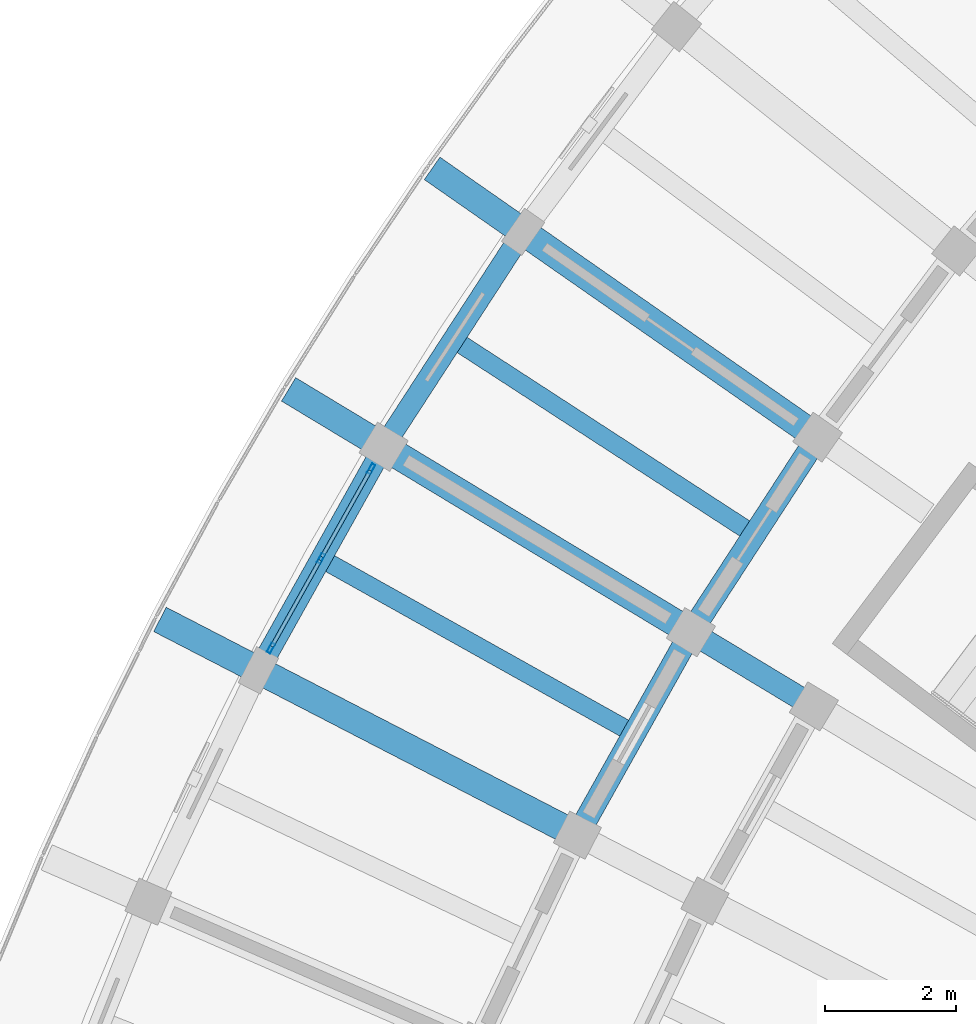
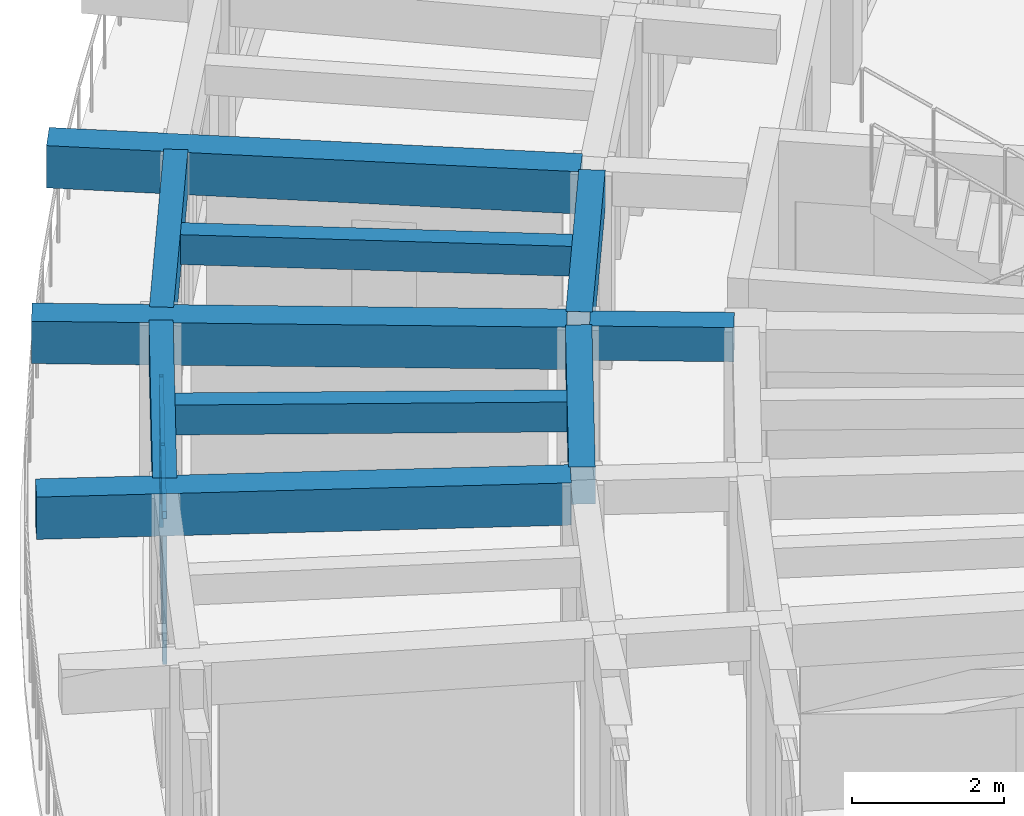
# One storey, part 10 of 78: 10 beams, 9 members, 1 element without a shape of its own.
"""IFC4 building model written with IfcOpenShell, lengths in metres."""

from ifc_helpers import new_model, si_unit, direction, frame, origin, origin_2d, place, context, subcontext, project, spatial, rectangle, hollow_rectangle, extrude, material, material_profile, profile_set, type_object, element, aggregate, save


model = new_model("IFC4")

# Units and contexts
model_context = context("Model", 3, precision=1e-05, world=origin(), true_north=direction((0.0, 1.0)))
body_context = subcontext(model_context, "Body", "Model", "MODEL_VIEW")
ifc_project = project(units=[si_unit("LENGTHUNIT", "METRE"), si_unit("AREAUNIT", "SQUARE_METRE"), si_unit("VOLUMEUNIT", "CUBIC_METRE"), si_unit("PLANEANGLEUNIT", "RADIAN"), si_unit("MASSUNIT", "GRAM", prefix="KILO")], contexts=[model_context])

# Site, building, storey
site_placement = place(None, origin())
site = spatial("IfcSite", under=ifc_project, at=site_placement, CompositionType="ELEMENT")
building_placement = place(site_placement, origin())
building = spatial("IfcBuilding", under=site, at=building_placement, Name="Tanwirah Colonnade Gardens", CompositionType="ELEMENT")
storey_placement = place(building_placement, frame((0.0, 0.0, 22.280029296875)))
storey = spatial("IfcBuildingStorey", under=building, at=storey_placement, Name="L06", CompositionType="ELEMENT", Elevation=22.280029296875)

# Beams
ifc_material_1 = material(Name="Precast concrete C40/50", Category="concrete")
ifc_material_profile_1 = material_profile(ifc_material_1, rectangle(XDim=0.35009765625, YDim=0.550048828125, at=origin_2d()), Name="PC-BM 350x550")
ifc_profile_set_1 = profile_set([ifc_material_profile_1], Name="Precast concrete C40/50")
beam_type_1 = type_object("IfcBeamType", Name="BM-PC350A", PredefinedType="BEAM", material=ifc_profile_set_1)
beam_1_placement = place(storey_placement, frame((20.479248046875, 87.068359375, 2.8349609375), z_axis=(-0.856174920318, 0.516686080534, 0.0), x_axis=(-0.516686080534, -0.856174920318, 0.0)))
element("IfcBeam", 1, at=beam_1_placement, inside=storey, type_object=beam_type_1, Name="Block A L06 Corridor Tie Beam 14", PredefinedType="BEAM", context=body_context, shape_type="SweptSolid", body=[
    extrude(rectangle(XDim=0.35009765625, YDim=0.550048828125, at=origin_2d()), origin(), (0.0, 0.0, 1.0), 1.89990234375),
])
ifc_material_profile_2 = material_profile(ifc_material_1, rectangle(XDim=0.35009765625, YDim=0.60009765625, at=origin_2d()), Name="PC-BM 350x600")
ifc_profile_set_2 = profile_set([ifc_material_profile_2], Name="Precast concrete C40/50")
beam_type_2 = type_object("IfcBeamType", Name="BM-PC350B", PredefinedType="BEAM", material=ifc_profile_set_2)
for number, where, z_axis, x_axis, name in (
    (2, (20.5830078125, 90.989990234375, 2.81005859375), (-0.544627998385, -0.838677735114, 0.0), (0.838677735114, -0.544627998385, 0.0), "Block A L06 Circumferential Beam 13-R2"),
    (3, (18.65087890625, 87.99658203125, 2.81005859375), (-0.488213717102, -0.87272410671, 0.0), (0.87272410671, -0.488213717102, 0.0), "Block A L06 Circumferential Beam 14-R2"),
):
    element("IfcBeam", number, at=place(storey_placement, frame(where, z_axis=z_axis, x_axis=x_axis)), inside=storey, type_object=beam_type_2, Name=name, PredefinedType="BEAM", context=body_context, shape_type="SweptSolid", body=[
        extrude(rectangle(XDim=0.35009765625, YDim=0.60009765625, at=origin_2d()), origin(), (0.0, 0.0, 1.0), 3.262939453125),
    ])
ifc_material_2 = material(Name="Precast concrete C45/55", Category="concrete")
ifc_material_profile_3 = material_profile(ifc_material_2, rectangle(XDim=0.419921875, YDim=0.679931640625, at=origin_2d()), Name="PC-BM 420x680")
ifc_profile_set_3 = profile_set([ifc_material_profile_3], Name="Precast concrete C45/55")
beam_type_3 = type_object("IfcBeamType", Name="BM-PC420", PredefinedType="BEAM", material=ifc_profile_set_3)
for number, where, z_axis, x_axis, name in (
    (4, (20.541748046875, 91.20166015625, 2.77001953125), (-0.820270158139, 0.571976282433, 0.0), (-0.571976282433, -0.820270158139, 0.0), "Block A L06 Outer Radial Precast Girder 13"),
    (5, (18.595703125, 88.205078125, 2.77001953125), (-0.856157813984, 0.516714425533, 0.0), (-0.516714425533, -0.856157813984, 0.0), "Block A L06 Outer Radial Precast Girder 14"),
):
    element("IfcBeam", number, at=place(storey_placement, frame(where, z_axis=z_axis, x_axis=x_axis)), inside=storey, type_object=beam_type_3, Name=name, PredefinedType="BEAM", context=body_context, shape_type="SweptSolid", body=[
        extrude(rectangle(XDim=0.419921875, YDim=0.679931640625, at=origin_2d()), origin(), (0.0, 0.0, 1.0), 7.050048828125),
    ])
beam_2_placement = place(storey_placement, frame((16.851318359375, 85.0869140625, 2.77001953125), z_axis=(-0.888348690665, 0.459169471758, 0.0), x_axis=(-0.459169471758, -0.888348690665, 0.0)))
element("IfcBeam", 6, at=beam_2_placement, inside=storey, type_object=beam_type_3, Name="Block A L06 Outer Radial Precast Girder 15", PredefinedType="BEAM", context=body_context, shape_type="SweptSolid", body=[
    extrude(rectangle(XDim=0.419921875, YDim=0.679931640625, at=origin_2d()), origin(), (0.0, 0.0, 1.0), 7.0498046875),
])

# Curtain wall, members
ifc_material_3 = material(Name="Bronze-anodised aluminium and solar-control low-E glass", Category="aluminium")
curtain_wall_type = type_object("IfcCurtainWallType", Name="CW-LOB", PredefinedType="NOTDEFINED", material=ifc_material_3)
curtain_wall_placement = place(storey_placement, origin())
curtain_wall = element("IfcCurtainWall", 7, at=curtain_wall_placement, inside=storey, type_object=curtain_wall_type, Name="Curtain Wall CW-A-L06-OUT-14", PredefinedType="NOTDEFINED")
ifc_material_4 = material(Name="Bronze-anodised aluminium", Category="aluminium")
ifc_material_profile_4 = material_profile(ifc_material_4, hollow_rectangle(XDim=0.06005859375, YDim=0.159912109375, WallThickness=0.00390625, at=origin_2d()), Name="CW-MUL 60x160x4")
ifc_profile_set_4 = profile_set([ifc_material_profile_4], Name="Bronze-anodised aluminium")
member_type_1 = type_object("IfcMemberType", Name="CWM-60x160", PredefinedType="MULLION", material=ifc_profile_set_4)
member_1_placement = place(storey_placement, frame((13.824951171875, 90.629150390625, 0.0), z_axis=(0.0, 0.0, 1.0), x_axis=(0.872732421781, -0.488198852899, 0.0)))
member_1 = element("IfcMember", 8, at=member_1_placement, type_object=member_type_1, Name="CW-LOB mullion 1", PredefinedType="MULLION", context=body_context, shape_type="SweptSolid", body=[
    extrude(hollow_rectangle(XDim=0.06005859375, YDim=0.159912109375, WallThickness=0.00390625, at=origin_2d()), origin(), (0.0, 0.0, 1.0), 2.35498046875),
])
member_2_placement = place(storey_placement, frame((13.056884765625, 89.25634765625, 0.0), z_axis=(0.0, 0.0, 1.0), x_axis=(0.872732421781, -0.488198852899, 0.0)))
member_2 = element("IfcMember", 9, at=member_2_placement, type_object=member_type_1, Name="CW-LOB mullion 2", PredefinedType="MULLION", context=body_context, shape_type="SweptSolid", body=[
    extrude(hollow_rectangle(XDim=0.06005859375, YDim=0.159912109375, WallThickness=0.00390625, at=origin_2d()), origin(), (0.0, 0.0, 1.0), 2.35498046875),
])
member_3_placement = place(storey_placement, frame((12.2890625, 87.8837890625, 0.0), z_axis=(0.0, 0.0, 1.0), x_axis=(0.872732421781, -0.488198852899, 0.0)))
member_3 = element("IfcMember", 10, at=member_3_placement, type_object=member_type_1, Name="CW-LOB mullion 3", PredefinedType="MULLION", context=body_context, shape_type="SweptSolid", body=[
    extrude(hollow_rectangle(XDim=0.06005859375, YDim=0.159912109375, WallThickness=0.00390625, at=origin_2d()), origin(), (0.0, 0.0, 1.0), 2.35498046875),
])
ifc_material_profile_5 = material_profile(ifc_material_4, hollow_rectangle(XDim=0.06005859375, YDim=0.1201171875, WallThickness=0.00390625, at=origin_2d()), Name="CW-TRN 60x120x4")
ifc_profile_set_5 = profile_set([ifc_material_profile_5], Name="Bronze-anodised aluminium")
member_type_2 = type_object("IfcMemberType", Name="CWT-60x120", PredefinedType="USERDEFINED", material=ifc_profile_set_5)
member_4_placement = place(storey_placement, frame((13.810302734375, 90.602783203125, 0.030029296875), z_axis=(-0.488298686347, -0.87267656833, 0.0), x_axis=(0.87267656833, -0.488298686347, 0.0)))
member_4 = element("IfcMember", 11, at=member_4_placement, type_object=member_type_2, Name="CW-LOB transom 1.1", ObjectType="TRANSOM", PredefinedType="USERDEFINED", context=body_context, shape_type="SweptSolid", body=[
    extrude(hollow_rectangle(XDim=0.06005859375, YDim=0.1201171875, WallThickness=0.00390625, at=origin_2d()), origin(), (0.0, 0.0, 1.0), 1.512939453125),
])
member_5_placement = place(storey_placement, frame((13.810302734375, 90.602783203125, 1.4599609375), z_axis=(-0.488298686347, -0.87267656833, 0.0), x_axis=(0.87267656833, -0.488298686347, 0.0)))
member_5 = element("IfcMember", 12, at=member_5_placement, type_object=member_type_2, Name="CW-LOB transom 1.2", ObjectType="TRANSOM", PredefinedType="USERDEFINED", context=body_context, shape_type="SweptSolid", body=[
    extrude(hollow_rectangle(XDim=0.06005859375, YDim=0.1201171875, WallThickness=0.00390625, at=origin_2d()), origin(), (0.0, 0.0, 1.0), 1.512939453125),
])
member_6_placement = place(storey_placement, frame((13.810302734375, 90.602783203125, 2.324951171875), z_axis=(-0.488298686347, -0.87267656833, 0.0), x_axis=(0.87267656833, -0.488298686347, 0.0)))
member_6 = element("IfcMember", 13, at=member_6_placement, type_object=member_type_2, Name="CW-LOB transom 1.3", ObjectType="TRANSOM", PredefinedType="USERDEFINED", context=body_context, shape_type="SweptSolid", body=[
    extrude(hollow_rectangle(XDim=0.06005859375, YDim=0.1201171875, WallThickness=0.00390625, at=origin_2d()), origin(), (0.0, 0.0, 1.0), 1.512939453125),
])
member_7_placement = place(storey_placement, frame((13.042236328125, 89.230224609375, 0.030029296875), z_axis=(-0.488175779921, -0.872745328202, 0.0), x_axis=(0.872745328202, -0.488175779921, 0.0)))
member_7 = element("IfcMember", 14, at=member_7_placement, type_object=member_type_2, Name="CW-LOB transom 2.1", ObjectType="TRANSOM", PredefinedType="USERDEFINED", context=body_context, shape_type="SweptSolid", body=[
    extrude(hollow_rectangle(XDim=0.06005859375, YDim=0.1201171875, WallThickness=0.00390625, at=origin_2d()), origin(), (0.0, 0.0, 1.0), 1.512939453125),
])
member_8_placement = place(storey_placement, frame((13.042236328125, 89.230224609375, 1.4599609375), z_axis=(-0.488175779921, -0.872745328202, 0.0), x_axis=(0.872745328202, -0.488175779921, 0.0)))
member_8 = element("IfcMember", 15, at=member_8_placement, type_object=member_type_2, Name="CW-LOB transom 2.2", ObjectType="TRANSOM", PredefinedType="USERDEFINED", context=body_context, shape_type="SweptSolid", body=[
    extrude(hollow_rectangle(XDim=0.06005859375, YDim=0.1201171875, WallThickness=0.00390625, at=origin_2d()), origin(), (0.0, 0.0, 1.0), 1.512939453125),
])
member_9_placement = place(storey_placement, frame((13.042236328125, 89.230224609375, 2.324951171875), z_axis=(-0.488175779921, -0.872745328202, 0.0), x_axis=(0.872745328202, -0.488175779921, 0.0)))
member_9 = element("IfcMember", 16, at=member_9_placement, type_object=member_type_2, Name="CW-LOB transom 2.3", ObjectType="TRANSOM", PredefinedType="USERDEFINED", context=body_context, shape_type="SweptSolid", body=[
    extrude(hollow_rectangle(XDim=0.06005859375, YDim=0.1201171875, WallThickness=0.00390625, at=origin_2d()), origin(), (0.0, 0.0, 1.0), 1.512939453125),
])
aggregate(curtain_wall, [member_1, member_2, member_3, member_4, member_5, member_6, member_7, member_8, member_9])

# Beams
ifc_material_profile_6 = material_profile(ifc_material_1, rectangle(XDim=0.280029296875, YDim=0.47998046875, at=origin_2d()), Name="PC-JST 280x480")
ifc_profile_set_6 = profile_set([ifc_material_profile_6], Name="Precast concrete C40/50")
beam_type_4 = type_object("IfcBeamType", Name="JST-PC280", PredefinedType="JOIST", material=ifc_profile_set_6)
beam_3_placement = place(storey_placement, frame((19.5693359375, 89.703125, 2.869873046875), z_axis=(-0.83868742622, 0.544613074669, 0.0), x_axis=(-0.544613074669, -0.83868742622, 0.0)))
element("IfcBeam", 17, at=beam_3_placement, inside=storey, type_object=beam_type_4, Name="Block A L06 Precast Floor Joist 13", PredefinedType="JOIST", context=body_context, shape_type="SweptSolid", body=[
    extrude(rectangle(XDim=0.280029296875, YDim=0.47998046875, at=origin_2d()), origin(), (0.0, 0.0, 1.0), 5.26025390625),
])
beam_4_placement = place(storey_placement, frame((17.72412109375, 86.645751953125, 2.869873046875), z_axis=(-0.872737031138, 0.488190612855, 0.0), x_axis=(-0.488190612855, -0.872737031138, 0.0)))
element("IfcBeam", 18, at=beam_4_placement, inside=storey, type_object=beam_type_4, Name="Block A L06 Precast Floor Joist 14", PredefinedType="JOIST", context=body_context, shape_type="SweptSolid", body=[
    extrude(rectangle(XDim=0.280029296875, YDim=0.47998046875, at=origin_2d()), origin(), (0.0, 0.0, 1.0), 5.260009765625),
])
ifc_material_profile_7 = material_profile(ifc_material_2, rectangle(XDim=0.320068359375, YDim=0.679931640625, at=origin_2d()), Name="PC-SP 320x680")
ifc_profile_set_7 = profile_set([ifc_material_profile_7], Name="Precast concrete C45/55")
beam_type_5 = type_object("IfcBeamType", Name="SP-PC320", PredefinedType="SPANDREL", material=ifc_profile_set_7)
for number, where, z_axis, x_axis, name in (
    (19, (16.071533203125, 94.135986328125, 2.77001953125), (-0.544621436184, -0.838681996497, 0.0), (0.838681996497, -0.544621436184, 0.0), "Block A L06 Circumferential Beam 13-R3"),
    (20, (13.942138671875, 90.838623046875, 2.77001953125), (-0.488236312193, -0.872711466326, 0.0), (0.872711466326, -0.488236312193, 0.0), "Block A L06 Circumferential Beam 14-R3"),
):
    element("IfcBeam", number, at=place(storey_placement, frame(where, z_axis=z_axis, x_axis=x_axis)), inside=storey, type_object=beam_type_5, Name=name, PredefinedType="SPANDREL", context=body_context, shape_type="SweptSolid", body=[
        extrude(rectangle(XDim=0.320068359375, YDim=0.679931640625, at=origin_2d()), origin(), (0.0, 0.0, 1.0), 3.625732421875),
    ])

save(model, "model.ifc")
